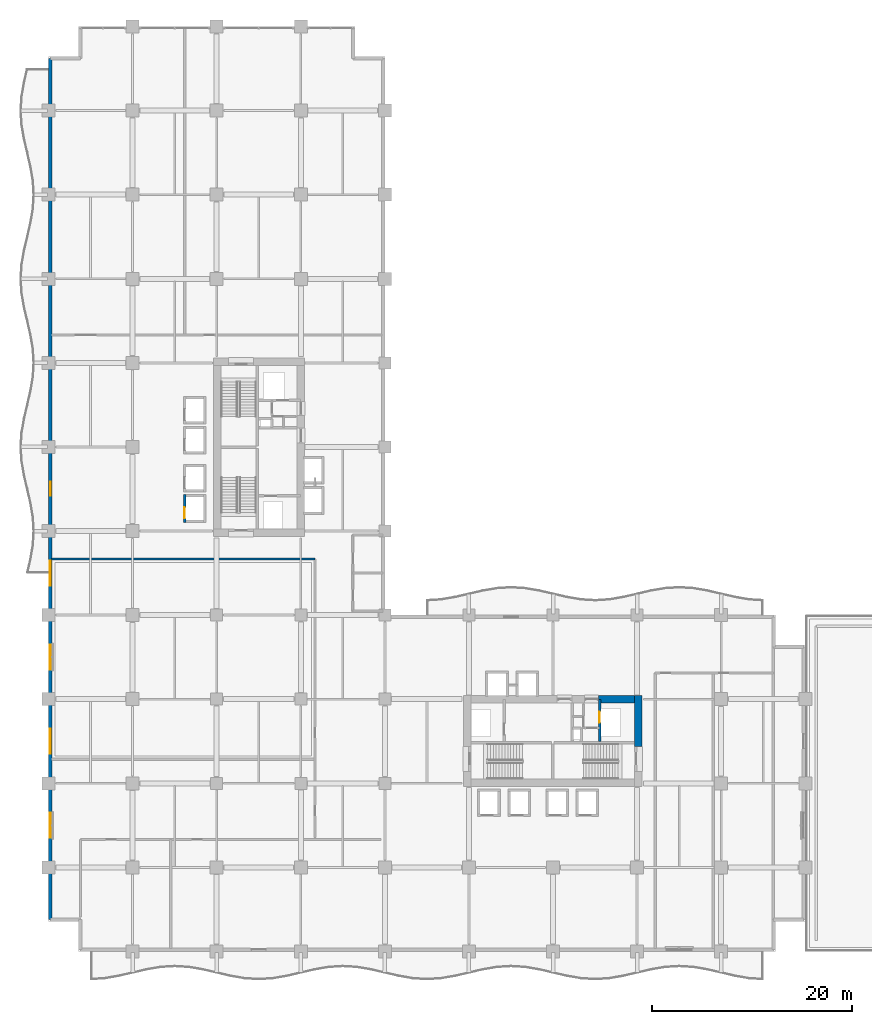
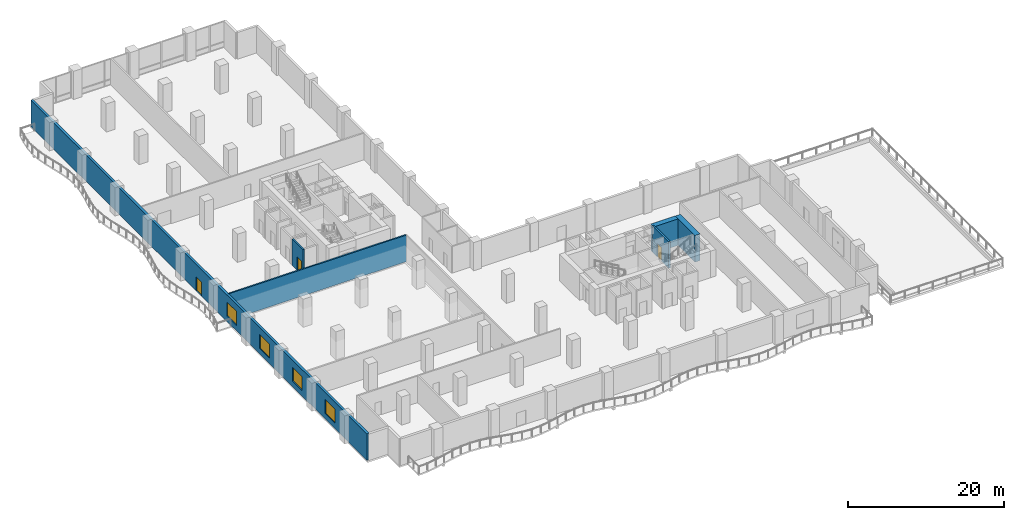
# One storey, part 9 of 21: 6 walls, 4 windows, 3 doors, 7 openings.
"""IFC4 building model written with IfcOpenShell, lengths in metres."""

import ifcopenshell
import ifcopenshell.guid

model = None  # the IFC model being written
_history = None  # IfcOwnerHistory: only IFC2X3 demands one
_inside = {}  # id of a spatial element -> (the spatial element, [elements in it])
_under = {}  # id of a project, library or spatial element -> (it, [spatial elements below it])
_declared = {}  # id of a project -> (the project, [libraries it declares])
_typed = {}  # id of a type object -> (the type object, [elements of that type])
_made_of = {}  # id of a material, layer set ... -> (it, [elements and type objects made of it])


def new_model(schema):
    """Start an empty IFC model of exactly this schema.

    Asked for "IFC4X3", IfcOpenShell would pick the latest addendum, in which some entities
    have other attributes; the version numbers below select the first issue.
    IFC2X3 requires an IfcOwnerHistory on every rooted entity: one is made here for all.
    """
    global model, _history
    if schema == "IFC4X3":
        model = ifcopenshell.file(schema_version=(4, 3, 0, 0))
    else:
        model = ifcopenshell.file(schema=schema)
    _inside.clear()
    _under.clear()
    _declared.clear()
    _typed.clear()
    _made_of.clear()
    _history = None
    if model.schema == "IFC2X3":
        org = make("IfcOrganization", Name="unknown")
        user = make(
            "IfcPersonAndOrganization",
            ThePerson=make("IfcPerson", FamilyName="unknown"),
            TheOrganization=org,
        )
        app = make(
            "IfcApplication",
            ApplicationDeveloper=org,
            Version="unknown",
            ApplicationFullName="unknown",
            ApplicationIdentifier="unknown",
        )
        _history = make(
            "IfcOwnerHistory",
            OwningUser=user,
            OwningApplication=app,
            ChangeAction="ADDED",
            CreationDate=0,
        )
    return model


def make(cls, **values):
    """One entity of the class cls with the attributes given. An attribute that is None is left unset."""
    return model.create_entity(
        cls, **{name: value for name, value in values.items() if value is not None}
    )


def rooted(cls, **values):
    """An entity with a GlobalId (a new one), such as an element, a storey or a relation."""
    return make(cls, GlobalId=ifcopenshell.guid.new(), OwnerHistory=_history, **values)


def si_unit(unit_type, name, prefix=None):
    """IfcSIUnit, for example si_unit("LENGTHUNIT", "METRE", prefix="MILLI")."""
    return make("IfcSIUnit", UnitType=unit_type, Prefix=prefix, Name=name)


def assignment(units):
    """IfcUnitAssignment: the units of a project."""
    return None if units is None else make("IfcUnitAssignment", Units=units)


def point(xyz):
    """IfcCartesianPoint."""
    return None if xyz is None else make("IfcCartesianPoint", Coordinates=xyz)


def direction(xyz):
    """IfcDirection."""
    return None if xyz is None else make("IfcDirection", DirectionRatios=xyz)


def frame(location, z_axis=None, x_axis=None):
    """IfcAxis2Placement3D, a coordinate frame: its origin and axes. An axis left out is left unset."""
    return make(
        "IfcAxis2Placement3D",
        Location=point(location),
        Axis=direction(z_axis),
        RefDirection=direction(x_axis),
    )


def frame_2d(location, x_axis=None):
    """IfcAxis2Placement2D, a coordinate frame in the plane: its origin and x axis."""
    return make(
        "IfcAxis2Placement2D", Location=point(location), RefDirection=direction(x_axis)
    )


def origin():
    """The frame at (0, 0, 0) with its axes left unset."""
    return frame((0.0, 0.0, 0.0))


def place(relative_to, where):
    """IfcLocalPlacement: puts the frame where relative to a parent placement (None: the world)."""
    return make(
        "IfcLocalPlacement", PlacementRelTo=relative_to, RelativePlacement=where
    )


def context(
    kind, dimensions, precision=None, world=None, true_north=None, identifier=None
):
    """IfcGeometricRepresentationContext, for example the 3D "Model" context."""
    return make(
        "IfcGeometricRepresentationContext",
        ContextIdentifier=identifier,
        ContextType=kind,
        CoordinateSpaceDimension=dimensions,
        Precision=precision,
        WorldCoordinateSystem=world,
        TrueNorth=true_north,
    )


def subcontext(parent, identifier, kind, view, scale=None):
    """IfcGeometricRepresentationSubContext, for example "Body" below "Model"."""
    return make(
        "IfcGeometricRepresentationSubContext",
        ContextIdentifier=identifier,
        ContextType=kind,
        ParentContext=parent,
        TargetScale=scale,
        TargetView=view,
    )


def project(units=None, contexts=None):
    """IfcProject with its units and contexts."""
    return rooted(
        "IfcProject",
        Name="project",
        RepresentationContexts=contexts,
        UnitsInContext=assignment(units),
    )


def spatial(cls, under=None, at=None, **own):
    """A site, building, storey or space (cls), placed at a placement, below another one or the project."""
    s = rooted(cls, ObjectPlacement=at, **own)
    if under is not None:
        _under.setdefault(under.id(), (under, []))[1].append(s)
    return s


def profile(cls, at=None, kind="AREA", **sizes):
    """A parametric profile (cls). Its sizes go by their IFC names, for example OverallWidth=200.0."""
    return make(cls, ProfileType=kind, Position=at, **sizes)


def rectangle(**sizes):
    """IfcRectangleProfileDef."""
    return profile("IfcRectangleProfileDef", **sizes)


def extrude(swept, where, along, depth):
    """IfcExtrudedAreaSolid: the profile swept, set in the frame where, extruded along a direction by depth."""
    return make(
        "IfcExtrudedAreaSolid",
        SweptArea=swept,
        Position=where,
        ExtrudedDirection=direction(along),
        Depth=depth,
    )


def shape(context_of_items, identifier, shape_type, items):
    """IfcShapeRepresentation: the items that make up one representation, for example the "Body"."""
    return make(
        "IfcShapeRepresentation",
        ContextOfItems=context_of_items,
        RepresentationIdentifier=identifier,
        RepresentationType=shape_type,
        Items=items,
    )


def material(Name=None, Category=None):
    """IfcMaterial."""
    return make("IfcMaterial", Name=Name, Category=Category)


def layer(
    of_material, thickness, ventilated=None, Name=None, Category=None, Priority=None
):
    """IfcMaterialLayer: one layer of a wall or slab, of a material (None: an air gap)."""
    return make(
        "IfcMaterialLayer",
        Material=of_material,
        LayerThickness=thickness,
        IsVentilated=ventilated,
        Name=Name,
        Category=Category,
        Priority=Priority,
    )


def layer_set(layers, Name=None):
    """IfcMaterialLayerSet."""
    return make("IfcMaterialLayerSet", MaterialLayers=layers, LayerSetName=Name)


def made_of(thing, what):
    """Note that an element or type object is made of a material, layer set ...; save() writes the relation."""
    if what is not None:
        _made_of.setdefault(what.id(), (what, []))[1].append(thing)
    return thing


def type_object(cls, material=None, **own):
    """A type object (cls), such as IfcWallType, which elements share."""
    return made_of(rooted(cls, **own), material)


def element(
    cls,
    number,
    at=None,
    inside=None,
    cuts=None,
    type_object=None,
    material=None,
    context=None,
    identifier="Body",
    shape_type=None,
    held_by="IfcProductDefinitionShape",
    body=None,
    shapes=None,
    **own,
):
    """One element of the class cls, such as IfcWall. Its Tag is "e" and its number.

    at: its placement. inside: the storey or other place that contains it. cuts: it is an
    opening in that element (IfcRelVoidsElement). A single representation is given by context,
    identifier, shape_type and body (its items); several are given by shapes. held_by: the class
    of the entity that holds the representations. save() writes the other relations.
    """
    e = rooted(cls, Tag="e%d" % number, ObjectPlacement=at, **own)
    if body is not None:
        shapes = [shape(context, identifier, shape_type, body)]
    if shapes is not None:
        e.Representation = make(held_by, Representations=shapes)
    if inside is not None:
        _inside.setdefault(inside.id(), (inside, []))[1].append(e)
    if cuts is not None:
        rooted(
            "IfcRelVoidsElement", RelatingBuildingElement=cuts, RelatedOpeningElement=e
        )
    if type_object is not None:
        _typed.setdefault(type_object.id(), (type_object, []))[1].append(e)
    return made_of(e, material)


def fill(opening, filler):
    """IfcRelFillsElement: the door or window that sits in an opening."""
    return rooted(
        "IfcRelFillsElement",
        RelatingOpeningElement=opening,
        RelatedBuildingElement=filler,
    )


def aggregate(whole, parts):
    """IfcRelAggregates: a whole, such as a stair, and the parts it consists of."""
    return rooted("IfcRelAggregates", RelatingObject=whole, RelatedObjects=parts)


def save(model, path):
    """Write the relations noted so far, then the file.

    IfcRelAggregates (storeys below a building ...), IfcRelContainedInSpatialStructure (elements
    in a storey), IfcRelDefinesByType, IfcRelAssociatesMaterial and IfcRelDeclares: one each for
    every whole, place, type object, material and project.
    """
    for whole, parts in _under.values():
        aggregate(whole, parts)
    for where, things in _inside.values():
        rooted(
            "IfcRelContainedInSpatialStructure",
            RelatedElements=things,
            RelatingStructure=where,
        )
    for kind, things in _typed.values():
        rooted("IfcRelDefinesByType", RelatedObjects=things, RelatingType=kind)
    for what, things in _made_of.values():
        rooted("IfcRelAssociatesMaterial", RelatedObjects=things, RelatingMaterial=what)
    for by, libraries in _declared.values():
        rooted("IfcRelDeclares", RelatingContext=by, RelatedDefinitions=libraries)
    model.write(path)


model = new_model("IFC4")

# Units and contexts
model_context = context("Model", 3, precision=1e-05, world=origin(), true_north=direction((0.0, 1.0)))
body_context = subcontext(model_context, "Body", "Model", "MODEL_VIEW")
ifc_project = project(units=[si_unit("LENGTHUNIT", "METRE"), si_unit("AREAUNIT", "SQUARE_METRE"), si_unit("VOLUMEUNIT", "CUBIC_METRE"), si_unit("PLANEANGLEUNIT", "RADIAN"), si_unit("MASSUNIT", "GRAM", prefix="KILO")], contexts=[model_context])

# Site, building, storey
site_placement = place(None, origin())
site = spatial("IfcSite", under=ifc_project, at=site_placement, CompositionType="ELEMENT")
building_placement = place(site_placement, origin())
building = spatial("IfcBuilding", under=site, at=building_placement, Name="Koriwani Terraces Tower", CompositionType="ELEMENT")
storey_placement = place(building_placement, frame((0.0, 0.0, 85.199951171875)))
storey = spatial("IfcBuildingStorey", under=building, at=storey_placement, Name="L20", CompositionType="ELEMENT", Elevation=85.199951171875)

# Walls
ifc_material_1 = material(Name="Concrete C60/75", Category="concrete")
ifc_layer_1 = layer(ifc_material_1, 0.75, Name="Concrete C60/75")
ifc_layer_set_1 = layer_set([ifc_layer_1], Name="Concrete C60/75")
wall_type_1 = type_object("IfcWallType", Name="WALL_CORE_RC_750", PredefinedType="SHEAR", material=ifc_layer_set_1)
wall_1_placement = place(storey_placement, frame((58.925048828125, 20.5, 0.0), z_axis=(0.0, 0.0, 1.0), x_axis=(0.0, 1.0, 0.0)))
element("IfcWall", 1, at=wall_1_placement, inside=storey, type_object=wall_type_1, Name="L20 East Split Core Shear Wall E2", PredefinedType="SHEAR", context=body_context, shape_type="SweptSolid", body=[
    extrude(rectangle(XDim=5.074951171875, YDim=0.75, at=frame_2d((2.53759765625, 0.0))), origin(), (0.0, 0.0, 1.0), 4.150146484375),
])
wall_2_placement = place(storey_placement, frame((54.949951171875, 25.199951171875, 0.0), z_axis=(0.0, 0.0, 1.0), x_axis=(1.0, 0.0, 0.0)))
element("IfcWall", 2, at=wall_2_placement, inside=storey, type_object=wall_type_1, Name="L20 East Split Core Shear Wall N3", PredefinedType="SHEAR", context=body_context, shape_type="SweptSolid", body=[
    extrude(rectangle(XDim=3.60009765625, YDim=0.75, at=frame_2d((1.800048828125, 0.0))), origin(), (0.0, 0.0, 1.0), 4.150146484375),
])
ifc_material_2 = material(Name="Autoclaved Cellular Concrete Blockwork", Category="masonry")
ifc_layer_2 = layer(ifc_material_2, 0.219970703125, Name="Autoclaved Cellular Concrete Blockwork")
ifc_layer_set_2 = layer_set([ifc_layer_2], Name="Autoclaved Cellular Concrete Blockwork")
wall_type_2 = type_object("IfcWallType", Name="WALL_DEMISING_220", PredefinedType="PARTITIONING", material=ifc_layer_set_2)
wall_3_placement = place(storey_placement, frame((0.300048828125, 39.199951171875, 0.0), z_axis=(0.0, 0.0, 1.0), x_axis=(1.0, 0.0, 0.0)))
element("IfcWall", 3, at=wall_3_placement, inside=storey, type_object=wall_type_2, Name="L20 Interior Wall WSKY-WMN-L20", PredefinedType="PARTITIONING", context=body_context, shape_type="SweptSolid", body=[
    extrude(rectangle(XDim=26.300048828125, YDim=0.219970703125, at=frame_2d((13.14990234375, 0.0))), origin(), (0.0, 0.0, 1.0), 4.150146484375),
])

# Wall, openings, door, windows
ifc_material_3 = material(Name="Concrete C50/60", Category="concrete")
ifc_layer_3 = layer(ifc_material_3, 0.35009765625, Name="Concrete C50/60")
ifc_layer_set_3 = layer_set([ifc_layer_3], Name="Concrete C50/60")
wall_type_3 = type_object("IfcWallType", Name="WALL_EXT_BRUTALIST_350", PredefinedType="STANDARD", material=ifc_layer_set_3)
wall_4_placement = place(storey_placement, frame((0.175048828125, 3.175048828125, 0.0), z_axis=(0.0, 0.0, 1.0), x_axis=(0.0, 1.0, 0.0)))
wall_4 = element("IfcWall", 4, at=wall_4_placement, inside=storey, type_object=wall_type_3, Name="L20 Fair-Faced Brutalist Exterior Wall (W)", PredefinedType="STANDARD", context=body_context, shape_type="SweptSolid", body=[
    extrude(rectangle(XDim=86.050048828125, YDim=0.35009765625, at=frame_2d((43.02490234375, 0.0))), origin(), (0.0, 0.0, 1.0), 4.150146484375),
])
opening_1_placement = place(wall_4_placement, frame((42.324951171875, 0.0, 0.0)))
opening_1 = element("IfcOpeningElement", 5, at=opening_1_placement, cuts=wall_4, Name="Opening D-09", PredefinedType="OPENING", context=body_context, shape_type="SweptSolid", body=[
    extrude(rectangle(XDim=1.39990234375, YDim=2.199951171875, at=frame_2d((0.699951171875, 1.10009765625))), frame((0.0, 0.18505859375, 0.0), z_axis=(0.0, -1.0, 0.0), x_axis=(1.0, 0.0, 0.0)), (0.0, 0.0, 1.0), 0.3701171875),
])
opening_2_placement = place(wall_4_placement, frame((8.175048828125, 0.0, 0.85009765625)))
opening_2 = element("IfcOpeningElement", 6, at=opening_2_placement, cuts=wall_4, Name="Opening W-07", PredefinedType="OPENING", context=body_context, shape_type="SweptSolid", body=[
    extrude(rectangle(XDim=2.5, YDim=2.199951171875, at=frame_2d((1.25, 1.10009765625))), frame((0.0, 0.18505859375, 0.0), z_axis=(0.0, -1.0, 0.0), x_axis=(1.0, 0.0, 0.0)), (0.0, 0.0, 1.0), 0.3701171875),
])
opening_3_placement = place(wall_4_placement, frame((16.574951171875, 0.0, 0.85009765625)))
opening_3 = element("IfcOpeningElement", 7, at=opening_3_placement, cuts=wall_4, Name="Opening W-07", PredefinedType="OPENING", context=body_context, shape_type="SweptSolid", body=[
    extrude(rectangle(XDim=2.5, YDim=2.199951171875, at=frame_2d((1.25, 1.10009765625))), frame((0.0, 0.18505859375, 0.0), z_axis=(0.0, -1.0, 0.0), x_axis=(1.0, 0.0, 0.0)), (0.0, 0.0, 1.0), 0.3701171875),
])
opening_4_placement = place(wall_4_placement, frame((24.97509765625, 0.0, 0.85009765625)))
opening_4 = element("IfcOpeningElement", 8, at=opening_4_placement, cuts=wall_4, Name="Opening W-07", PredefinedType="OPENING", context=body_context, shape_type="SweptSolid", body=[
    extrude(rectangle(XDim=2.5, YDim=2.199951171875, at=frame_2d((1.25, 1.10009765625))), frame((0.0, 0.18505859375, 0.0), z_axis=(0.0, -1.0, 0.0), x_axis=(1.0, 0.0, 0.0)), (0.0, 0.0, 1.0), 0.3701171875),
])
opening_5_placement = place(wall_4_placement, frame((33.375, 0.0, 0.85009765625)))
opening_5 = element("IfcOpeningElement", 9, at=opening_5_placement, cuts=wall_4, Name="Opening W-07", PredefinedType="OPENING", context=body_context, shape_type="SweptSolid", body=[
    extrude(rectangle(XDim=2.5, YDim=2.199951171875, at=frame_2d((1.25, 1.10009765625))), frame((0.0, 0.18505859375, 0.0), z_axis=(0.0, -1.0, 0.0), x_axis=(1.0, 0.0, 0.0)), (0.0, 0.0, 1.0), 0.3701171875),
])
ifc_material_4 = material(Name="Anodised Bronze Aluminium", Category="aluminium")
door_type_1 = type_object("IfcDoorType", Name="DOOR_BALCONY_GLAZED_1400X2200", OperationType="NOTDEFINED", PredefinedType="DOOR", material=ifc_material_4)
door_1_placement = place(opening_1_placement, origin())
door_1 = element("IfcDoor", 10, at=door_1_placement, inside=storey, type_object=door_type_1, Name="L20 West Balcony Glazed Door", OperationType="SINGLE_SWING_LEFT", OverallHeight=2.199951171875, OverallWidth=1.39990234375, PredefinedType="DOOR", context=body_context, shape_type="SweptSolid", body=[
    extrude(rectangle(XDim=1.39990234375, YDim=2.199951171875, at=frame_2d((0.699951171875, 1.10009765625))), frame((0.0, 0.02490234375, 0.0), z_axis=(0.0, -1.0, 0.0), x_axis=(1.0, 0.0, 0.0)), (0.0, 0.0, 1.0), 0.050048828125),
])
fill(opening_1, door_1)
ifc_material_5 = material(Name="Tempered Laminated Low-E Glass", Category="glass")
window_type = type_object("IfcWindowType", Name="WIN_SKY_LOUNGE_2500X2200", PartitioningType="SINGLE_PANEL", PredefinedType="WINDOW", material=ifc_material_5)
window_1_placement = place(opening_2_placement, origin())
window_1 = element("IfcWindow", 11, at=window_1_placement, inside=storey, type_object=window_type, Name="L20 Exterior Window (W-3)", OverallHeight=2.199951171875, OverallWidth=2.5, PartitioningType="SINGLE_PANEL", PredefinedType="WINDOW", context=body_context, shape_type="SweptSolid", body=[
    extrude(rectangle(XDim=2.5, YDim=2.199951171875, at=frame_2d((1.25, 1.10009765625))), frame((0.0, 0.030029296875, 0.0), z_axis=(0.0, -1.0, 0.0), x_axis=(1.0, 0.0, 0.0)), (0.0, 0.0, 1.0), 0.06005859375),
])
fill(opening_2, window_1)
window_2_placement = place(opening_3_placement, origin())
window_2 = element("IfcWindow", 12, at=window_2_placement, inside=storey, type_object=window_type, Name="L20 Exterior Window (W-6)", OverallHeight=2.199951171875, OverallWidth=2.5, PartitioningType="SINGLE_PANEL", PredefinedType="WINDOW", context=body_context, shape_type="SweptSolid", body=[
    extrude(rectangle(XDim=2.5, YDim=2.199951171875, at=frame_2d((1.25, 1.10009765625))), frame((0.0, 0.030029296875, 0.0), z_axis=(0.0, -1.0, 0.0), x_axis=(1.0, 0.0, 0.0)), (0.0, 0.0, 1.0), 0.06005859375),
])
fill(opening_3, window_2)
window_3_placement = place(opening_4_placement, origin())
window_3 = element("IfcWindow", 13, at=window_3_placement, inside=storey, type_object=window_type, Name="L20 Exterior Window (W-9)", OverallHeight=2.199951171875, OverallWidth=2.5, PartitioningType="SINGLE_PANEL", PredefinedType="WINDOW", context=body_context, shape_type="SweptSolid", body=[
    extrude(rectangle(XDim=2.5, YDim=2.199951171875, at=frame_2d((1.25, 1.10009765625))), frame((0.0, 0.030029296875, 0.0), z_axis=(0.0, -1.0, 0.0), x_axis=(1.0, 0.0, 0.0)), (0.0, 0.0, 1.0), 0.06005859375),
])
fill(opening_4, window_3)
window_4_placement = place(opening_5_placement, origin())
window_4 = element("IfcWindow", 14, at=window_4_placement, inside=storey, type_object=window_type, Name="L20 Exterior Window (W-12)", OverallHeight=2.199951171875, OverallWidth=2.5, PartitioningType="SINGLE_PANEL", PredefinedType="WINDOW", context=body_context, shape_type="SweptSolid", body=[
    extrude(rectangle(XDim=2.5, YDim=2.199951171875, at=frame_2d((1.25, 1.10009765625))), frame((0.0, 0.030029296875, 0.0), z_axis=(0.0, -1.0, 0.0), x_axis=(1.0, 0.0, 0.0)), (0.0, 0.0, 1.0), 0.06005859375),
])
fill(opening_5, window_4)

# Wall, opening, door
ifc_material_6 = material(Name="Concrete C40/50", Category="concrete")
ifc_layer_4 = layer(ifc_material_6, 0.25, Name="Concrete C40/50")
ifc_layer_set_4 = layer_set([ifc_layer_4], Name="Concrete C40/50")
wall_type_4 = type_object("IfcWallType", Name="WALL_SHAFT_RATED_250", PredefinedType="SOLIDWALL", material=ifc_layer_set_4)
wall_5_placement = place(storey_placement, frame((55.050048828125, 21.0, 0.0), z_axis=(0.0, 0.0, 1.0), x_axis=(0.0, 1.0, 0.0)))
wall_5 = element("IfcWall", 15, at=wall_5_placement, inside=storey, type_object=wall_type_4, Name="L20 Interior Wall WIN-CE-L20-SE", PredefinedType="SOLIDWALL", context=body_context, shape_type="SweptSolid", body=[
    extrude(rectangle(XDim=4.14990234375, YDim=0.25, at=frame_2d((2.074951171875, 0.0))), origin(), (0.0, 0.0, 1.0), 4.150146484375),
])
opening_6_placement = place(wall_5_placement, frame((1.85009765625, 0.0, 0.0)))
opening_6 = element("IfcOpeningElement", 16, at=opening_6_placement, cuts=wall_5, Name="Opening LD-01", PredefinedType="OPENING", context=body_context, shape_type="SweptSolid", body=[
    extrude(rectangle(XDim=1.10009765625, YDim=2.14990234375, at=frame_2d((0.550048828125, 1.074951171875))), frame((0.0, 0.135009765625, 0.0), z_axis=(0.0, -1.0, 0.0), x_axis=(1.0, 0.0, 0.0)), (0.0, 0.0, 1.0), 0.27001953125),
])
ifc_material_7 = material(Name="Steel ASTM A572 Grade 50", Category="steel")
door_type_2 = type_object("IfcDoorType", Name="DOOR_LIFT_LANDING_1100X2200", OperationType="NOTDEFINED", PredefinedType="DOOR", material=ifc_material_7)
door_2_placement = place(opening_6_placement, origin())
door_2 = element("IfcDoor", 17, at=door_2_placement, inside=storey, type_object=door_type_2, Name="L20 Goods Lift SE-02 Landing Door", OperationType="SLIDING_TO_LEFT", OverallHeight=2.14990234375, OverallWidth=1.10009765625, PredefinedType="DOOR", context=body_context, shape_type="SweptSolid", body=[
    extrude(rectangle(XDim=1.10009765625, YDim=2.14990234375, at=frame_2d((0.550048828125, 1.074951171875))), frame((0.0, 0.02490234375, 0.0), z_axis=(0.0, -1.0, 0.0), x_axis=(1.0, 0.0, 0.0)), (0.0, 0.0, 1.0), 0.050048828125),
])
fill(opening_6, door_2)

wall_6_placement = place(storey_placement, frame((13.60009765625, 42.875, 0.0), z_axis=(0.0, 0.0, 1.0), x_axis=(0.0, 1.0, 0.0)))
wall_6 = element("IfcWall", 18, at=wall_6_placement, inside=storey, type_object=wall_type_4, Name="L20 Interior Wall WIN-LF-PE-L1-L20-F", PredefinedType="SOLIDWALL", context=body_context, shape_type="SweptSolid", body=[
    extrude(rectangle(XDim=2.75, YDim=0.25, at=frame_2d((1.375, 0.0))), origin(), (0.0, 0.0, 1.0), 4.150146484375),
])
opening_7_placement = place(wall_6_placement, frame((0.39990234375, 0.0, 0.0)))
opening_7 = element("IfcOpeningElement", 19, at=opening_7_placement, cuts=wall_6, Name="Opening LD-01", PredefinedType="OPENING", context=body_context, shape_type="SweptSolid", body=[
    extrude(rectangle(XDim=1.10009765625, YDim=2.14990234375, at=frame_2d((0.550048828125, 1.074951171875))), frame((0.0, 0.135009765625, 0.0), z_axis=(0.0, -1.0, 0.0), x_axis=(1.0, 0.0, 0.0)), (0.0, 0.0, 1.0), 0.27001953125),
])
door_3_placement = place(opening_7_placement, origin())
door_3 = element("IfcDoor", 20, at=door_3_placement, inside=storey, type_object=door_type_2, Name="L20 Passenger Lift PE-L1 Landing Door", OperationType="SLIDING_TO_LEFT", OverallHeight=2.14990234375, OverallWidth=1.10009765625, PredefinedType="DOOR", context=body_context, shape_type="SweptSolid", body=[
    extrude(rectangle(XDim=1.10009765625, YDim=2.14990234375, at=frame_2d((0.550048828125, 1.074951171875))), frame((0.0, 0.02490234375, 0.0), z_axis=(0.0, -1.0, 0.0), x_axis=(1.0, 0.0, 0.0)), (0.0, 0.0, 1.0), 0.050048828125),
])
fill(opening_7, door_3)

save(model, "model.ifc")
